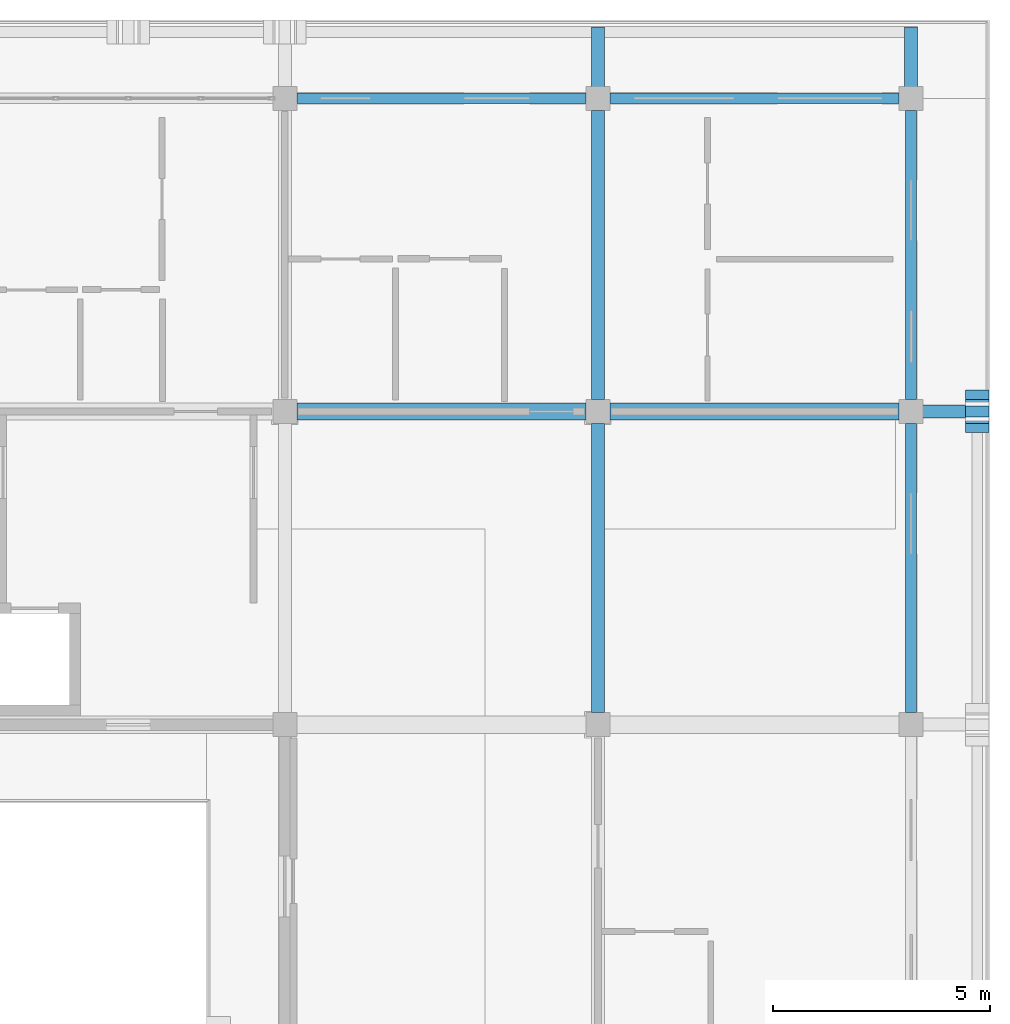
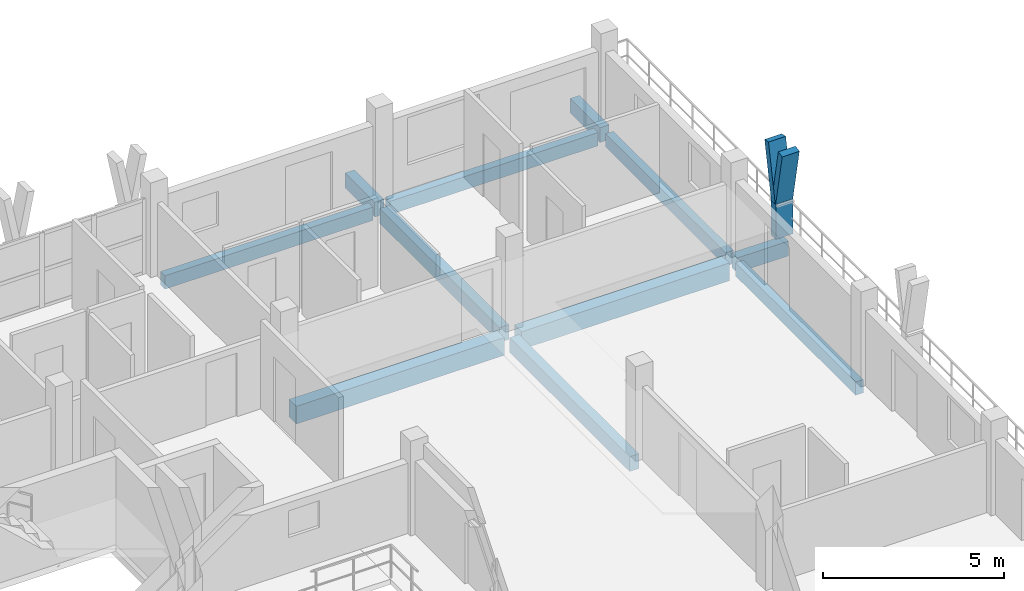
# One storey, part 28 of 67: 11 beams, 3 members.
"""IFC4 building model written with IfcOpenShell, lengths in metres."""

import ifcopenshell
import ifcopenshell.guid

model = None  # the IFC model being written
_history = None  # IfcOwnerHistory: only IFC2X3 demands one
_inside = {}  # id of a spatial element -> (the spatial element, [elements in it])
_under = {}  # id of a project, library or spatial element -> (it, [spatial elements below it])
_declared = {}  # id of a project -> (the project, [libraries it declares])
_typed = {}  # id of a type object -> (the type object, [elements of that type])
_made_of = {}  # id of a material, layer set ... -> (it, [elements and type objects made of it])


def new_model(schema):
    """Start an empty IFC model of exactly this schema.

    Asked for "IFC4X3", IfcOpenShell would pick the latest addendum, in which some entities
    have other attributes; the version numbers below select the first issue.
    IFC2X3 requires an IfcOwnerHistory on every rooted entity: one is made here for all.
    """
    global model, _history
    if schema == "IFC4X3":
        model = ifcopenshell.file(schema_version=(4, 3, 0, 0))
    else:
        model = ifcopenshell.file(schema=schema)
    _inside.clear()
    _under.clear()
    _declared.clear()
    _typed.clear()
    _made_of.clear()
    _history = None
    if model.schema == "IFC2X3":
        org = make("IfcOrganization", Name="unknown")
        user = make(
            "IfcPersonAndOrganization",
            ThePerson=make("IfcPerson", FamilyName="unknown"),
            TheOrganization=org,
        )
        app = make(
            "IfcApplication",
            ApplicationDeveloper=org,
            Version="unknown",
            ApplicationFullName="unknown",
            ApplicationIdentifier="unknown",
        )
        _history = make(
            "IfcOwnerHistory",
            OwningUser=user,
            OwningApplication=app,
            ChangeAction="ADDED",
            CreationDate=0,
        )
    return model


def make(cls, **values):
    """One entity of the class cls with the attributes given. An attribute that is None is left unset."""
    return model.create_entity(
        cls, **{name: value for name, value in values.items() if value is not None}
    )


def rooted(cls, **values):
    """An entity with a GlobalId (a new one), such as an element, a storey or a relation."""
    return make(cls, GlobalId=ifcopenshell.guid.new(), OwnerHistory=_history, **values)


def si_unit(unit_type, name, prefix=None):
    """IfcSIUnit, for example si_unit("LENGTHUNIT", "METRE", prefix="MILLI")."""
    return make("IfcSIUnit", UnitType=unit_type, Prefix=prefix, Name=name)


def assignment(units):
    """IfcUnitAssignment: the units of a project."""
    return None if units is None else make("IfcUnitAssignment", Units=units)


def point(xyz):
    """IfcCartesianPoint."""
    return None if xyz is None else make("IfcCartesianPoint", Coordinates=xyz)


def direction(xyz):
    """IfcDirection."""
    return None if xyz is None else make("IfcDirection", DirectionRatios=xyz)


def frame(location, z_axis=None, x_axis=None):
    """IfcAxis2Placement3D, a coordinate frame: its origin and axes. An axis left out is left unset."""
    return make(
        "IfcAxis2Placement3D",
        Location=point(location),
        Axis=direction(z_axis),
        RefDirection=direction(x_axis),
    )


def frame_2d(location, x_axis=None):
    """IfcAxis2Placement2D, a coordinate frame in the plane: its origin and x axis."""
    return make(
        "IfcAxis2Placement2D", Location=point(location), RefDirection=direction(x_axis)
    )


def origin():
    """The frame at (0, 0, 0) with its axes left unset."""
    return frame((0.0, 0.0, 0.0))


def origin_2d():
    """The frame at (0, 0) in the plane with its x axis left unset."""
    return frame_2d((0.0, 0.0))


def place(relative_to, where):
    """IfcLocalPlacement: puts the frame where relative to a parent placement (None: the world)."""
    return make(
        "IfcLocalPlacement", PlacementRelTo=relative_to, RelativePlacement=where
    )


def context(
    kind, dimensions, precision=None, world=None, true_north=None, identifier=None
):
    """IfcGeometricRepresentationContext, for example the 3D "Model" context."""
    return make(
        "IfcGeometricRepresentationContext",
        ContextIdentifier=identifier,
        ContextType=kind,
        CoordinateSpaceDimension=dimensions,
        Precision=precision,
        WorldCoordinateSystem=world,
        TrueNorth=true_north,
    )


def subcontext(parent, identifier, kind, view, scale=None):
    """IfcGeometricRepresentationSubContext, for example "Body" below "Model"."""
    return make(
        "IfcGeometricRepresentationSubContext",
        ContextIdentifier=identifier,
        ContextType=kind,
        ParentContext=parent,
        TargetScale=scale,
        TargetView=view,
    )


def project(units=None, contexts=None):
    """IfcProject with its units and contexts."""
    return rooted(
        "IfcProject",
        Name="project",
        RepresentationContexts=contexts,
        UnitsInContext=assignment(units),
    )


def spatial(cls, under=None, at=None, **own):
    """A site, building, storey or space (cls), placed at a placement, below another one or the project."""
    s = rooted(cls, ObjectPlacement=at, **own)
    if under is not None:
        _under.setdefault(under.id(), (under, []))[1].append(s)
    return s


def profile(cls, at=None, kind="AREA", **sizes):
    """A parametric profile (cls). Its sizes go by their IFC names, for example OverallWidth=200.0."""
    return make(cls, ProfileType=kind, Position=at, **sizes)


def rectangle(**sizes):
    """IfcRectangleProfileDef."""
    return profile("IfcRectangleProfileDef", **sizes)


def extrude(swept, where, along, depth):
    """IfcExtrudedAreaSolid: the profile swept, set in the frame where, extruded along a direction by depth."""
    return make(
        "IfcExtrudedAreaSolid",
        SweptArea=swept,
        Position=where,
        ExtrudedDirection=direction(along),
        Depth=depth,
    )


def shape(context_of_items, identifier, shape_type, items):
    """IfcShapeRepresentation: the items that make up one representation, for example the "Body"."""
    return make(
        "IfcShapeRepresentation",
        ContextOfItems=context_of_items,
        RepresentationIdentifier=identifier,
        RepresentationType=shape_type,
        Items=items,
    )


def material(Name=None, Category=None):
    """IfcMaterial."""
    return make("IfcMaterial", Name=Name, Category=Category)


def material_profile(
    of_material, cross_section, Name=None, Category=None, Priority=None
):
    """IfcMaterialProfile: a cross section and its material."""
    return make(
        "IfcMaterialProfile",
        Name=Name,
        Material=of_material,
        Profile=cross_section,
        Priority=Priority,
        Category=Category,
    )


def profile_set(profiles, Name=None, composite=None):
    """IfcMaterialProfileSet."""
    return make(
        "IfcMaterialProfileSet",
        Name=Name,
        MaterialProfiles=profiles,
        CompositeProfile=composite,
    )


def made_of(thing, what):
    """Note that an element or type object is made of a material, layer set ...; save() writes the relation."""
    if what is not None:
        _made_of.setdefault(what.id(), (what, []))[1].append(thing)
    return thing


def type_object(cls, material=None, **own):
    """A type object (cls), such as IfcWallType, which elements share."""
    return made_of(rooted(cls, **own), material)


def element(
    cls,
    number,
    at=None,
    inside=None,
    cuts=None,
    type_object=None,
    material=None,
    context=None,
    identifier="Body",
    shape_type=None,
    held_by="IfcProductDefinitionShape",
    body=None,
    shapes=None,
    **own,
):
    """One element of the class cls, such as IfcWall. Its Tag is "e" and its number.

    at: its placement. inside: the storey or other place that contains it. cuts: it is an
    opening in that element (IfcRelVoidsElement). A single representation is given by context,
    identifier, shape_type and body (its items); several are given by shapes. held_by: the class
    of the entity that holds the representations. save() writes the other relations.
    """
    e = rooted(cls, Tag="e%d" % number, ObjectPlacement=at, **own)
    if body is not None:
        shapes = [shape(context, identifier, shape_type, body)]
    if shapes is not None:
        e.Representation = make(held_by, Representations=shapes)
    if inside is not None:
        _inside.setdefault(inside.id(), (inside, []))[1].append(e)
    if cuts is not None:
        rooted(
            "IfcRelVoidsElement", RelatingBuildingElement=cuts, RelatedOpeningElement=e
        )
    if type_object is not None:
        _typed.setdefault(type_object.id(), (type_object, []))[1].append(e)
    return made_of(e, material)


def aggregate(whole, parts):
    """IfcRelAggregates: a whole, such as a stair, and the parts it consists of."""
    return rooted("IfcRelAggregates", RelatingObject=whole, RelatedObjects=parts)


def save(model, path):
    """Write the relations noted so far, then the file.

    IfcRelAggregates (storeys below a building ...), IfcRelContainedInSpatialStructure (elements
    in a storey), IfcRelDefinesByType, IfcRelAssociatesMaterial and IfcRelDeclares: one each for
    every whole, place, type object, material and project.
    """
    for whole, parts in _under.values():
        aggregate(whole, parts)
    for where, things in _inside.values():
        rooted(
            "IfcRelContainedInSpatialStructure",
            RelatedElements=things,
            RelatingStructure=where,
        )
    for kind, things in _typed.values():
        rooted("IfcRelDefinesByType", RelatedObjects=things, RelatingType=kind)
    for what, things in _made_of.values():
        rooted("IfcRelAssociatesMaterial", RelatedObjects=things, RelatingMaterial=what)
    for by, libraries in _declared.values():
        rooted("IfcRelDeclares", RelatingContext=by, RelatedDefinitions=libraries)
    model.write(path)


model = new_model("IFC4")

# Units and contexts
model_context = context("Model", 3, precision=1e-05, world=origin(), true_north=direction((0.0, 1.0)))
body_context = subcontext(model_context, "Body", "Model", "MODEL_VIEW")
ifc_project = project(units=[si_unit("LENGTHUNIT", "METRE"), si_unit("AREAUNIT", "SQUARE_METRE"), si_unit("VOLUMEUNIT", "CUBIC_METRE"), si_unit("PLANEANGLEUNIT", "RADIAN"), si_unit("MASSUNIT", "GRAM", prefix="KILO")], contexts=[model_context])

# Site, building, storey
site_placement = place(None, origin())
site = spatial("IfcSite", under=ifc_project, at=site_placement, CompositionType="ELEMENT")
building_placement = place(site_placement, origin())
building = spatial("IfcBuilding", under=site, at=building_placement, Name="Suanplinth Sawtooth Commons", CompositionType="ELEMENT")
storey_placement = place(building_placement, frame((0.0, 0.0, 25.10009765625)))
storey = spatial("IfcBuildingStorey", under=building, at=storey_placement, Name="L07", CompositionType="ELEMENT", Elevation=25.10009765625)

# Beams
ifc_material_1 = material(Name="Precast concrete C40/50", Category="concrete")
ifc_material_profile_1 = material_profile(ifc_material_1, rectangle(XDim=0.39990234375, YDim=0.60009765625, at=origin_2d()), Name="PC-GDR 400x600")
ifc_profile_set_1 = profile_set([ifc_material_profile_1], Name="Precast concrete C40/50")
beam_type_1 = type_object("IfcBeamType", Name="B-05", PredefinedType="USERDEFINED", material=ifc_profile_set_1)
for number, where, z_axis, x_axis, name in (
    (1, (173.074951171875, 115.199951171875, -0.52001953125), (1.0, 0.0, 0.0), (0.0, 1.0, 0.0), "BMX-L07-B-24-16"),
    (2, (180.27490234375, 115.199951171875, -0.52001953125), (1.0, 0.0, 0.0), (0.0, 1.0, 0.0), "BMX-L07-B-25-16"),
):
    element("IfcBeam", number, at=place(storey_placement, frame(where, z_axis=z_axis, x_axis=x_axis)), inside=storey, type_object=beam_type_1, Name=name, ObjectType="GIRDER", PredefinedType="USERDEFINED", context=body_context, shape_type="SweptSolid", body=[
        extrude(rectangle(XDim=0.39990234375, YDim=0.60009765625, at=origin_2d()), origin(), (0.0, 0.0, 1.0), 6.650146484375),
    ])
ifc_material_profile_2 = material_profile(ifc_material_1, rectangle(XDim=0.300048828125, YDim=0.5, at=origin_2d()), Name="PC-BM 300x500")
ifc_profile_set_2 = profile_set([ifc_material_profile_2], Name="Precast concrete C40/50")
beam_type_2 = type_object("IfcBeamType", Name="B-07", PredefinedType="BEAM", material=ifc_profile_set_2)
beam_1_placement = place(storey_placement, frame((180.0, 108.27490234375, -0.47021484375), z_axis=(0.0, 1.0, 0.0), x_axis=(-1.0, 0.0, 0.0)))
element("IfcBeam", 3, at=beam_1_placement, inside=storey, type_object=beam_type_2, Name="BMY-L07-B-25-15", PredefinedType="BEAM", context=body_context, shape_type="SweptSolid", body=[
    extrude(rectangle(XDim=0.300048828125, YDim=0.5, at=origin_2d()), origin(), (0.0, 0.0, 1.0), 6.650146484375),
])
beam_2_placement = place(storey_placement, frame((180.0, 115.47509765625, -0.47021484375), z_axis=(0.0, 1.0, 0.0), x_axis=(-1.0, 0.0, 0.0)))
element("IfcBeam", 4, at=beam_2_placement, inside=storey, type_object=beam_type_2, Name="BMY-L07-B-25-16", PredefinedType="BEAM", context=body_context, shape_type="SweptSolid", body=[
    extrude(rectangle(XDim=0.300048828125, YDim=0.5, at=origin_2d()), origin(), (0.0, 0.0, 1.0), 6.64990234375),
])
for number, where, z_axis, x_axis, name in (
    (5, (180.0, 122.39990234375, -0.43017578125), (0.0, 1.0, 0.0), (-1.0, 0.0, 0.0), "Balcony Outrigger L07-B-N-25"),
    (6, (187.199951171875, 122.39990234375, -0.43017578125), (0.0, 1.0, 0.0), (-1.0, 0.0, 0.0), "Balcony Outrigger L07-B-N-26"),
    (7, (187.199951171875, 115.199951171875, -0.43017578125), (1.0, 0.0, 0.0), (0.0, 1.0, 0.0), "Balcony Outrigger L07-B-E-16"),
):
    element("IfcBeam", number, at=place(storey_placement, frame(where, z_axis=z_axis, x_axis=x_axis)), inside=storey, type_object=beam_type_2, Name=name, PredefinedType="BEAM", context=body_context, shape_type="SweptSolid", body=[
        extrude(rectangle(XDim=0.300048828125, YDim=0.5, at=origin_2d()), origin(), (0.0, 0.0, 1.0), 1.64013671875),
    ])
ifc_material_profile_3 = material_profile(ifc_material_1, rectangle(XDim=0.25, YDim=0.449951171875, at=origin_2d()), Name="PC-SP 250x450")
ifc_profile_set_3 = profile_set([ifc_material_profile_3], Name="Precast concrete C40/50")
beam_type_3 = type_object("IfcBeamType", Name="B-09", PredefinedType="SPANDREL", material=ifc_profile_set_3)
for number, where, z_axis, x_axis, name in (
    (8, (173.074951171875, 122.39990234375, -0.445068359375), (1.0, 0.0, 0.0), (0.0, 1.0, 0.0), "BMX-L07-B-24-17"),
    (9, (180.27490234375, 122.39990234375, -0.445068359375), (1.0, 0.0, 0.0), (0.0, 1.0, 0.0), "BMX-L07-B-25-17"),
    (10, (187.199951171875, 108.27490234375, -0.445068359375), (0.0, 1.0, 0.0), (-1.0, 0.0, 0.0), "BMY-L07-B-26-15"),
):
    element("IfcBeam", number, at=place(storey_placement, frame(where, z_axis=z_axis, x_axis=x_axis)), inside=storey, type_object=beam_type_3, Name=name, PredefinedType="SPANDREL", context=body_context, shape_type="SweptSolid", body=[
        extrude(rectangle(XDim=0.25, YDim=0.449951171875, at=origin_2d()), origin(), (0.0, 0.0, 1.0), 6.650146484375),
    ])
beam_3_placement = place(storey_placement, frame((187.199951171875, 115.47509765625, -0.445068359375), z_axis=(0.0, 1.0, 0.0), x_axis=(-1.0, 0.0, 0.0)))
element("IfcBeam", 11, at=beam_3_placement, inside=storey, type_object=beam_type_3, Name="BMY-L07-B-26-16", PredefinedType="SPANDREL", context=body_context, shape_type="SweptSolid", body=[
    extrude(rectangle(XDim=0.25, YDim=0.449951171875, at=origin_2d()), origin(), (0.0, 0.0, 1.0), 6.64990234375),
])

# Members
ifc_material_2 = material(Name="Pigmented precast concrete C40/50", Category="concrete")
ifc_material_profile_4 = material_profile(ifc_material_2, rectangle(XDim=0.260009765625, YDim=0.550048828125, at=origin_2d()), Name="PC-FIN 260x550")
ifc_profile_set_4 = profile_set([ifc_material_profile_4], Name="Pigmented precast concrete C40/50")
member_type_1 = type_object("IfcMemberType", Name="M-09", PredefinedType="USERDEFINED", material=ifc_profile_set_4)
member_1_placement = place(storey_placement, frame((188.719970703125, 115.199951171875, 0.0), z_axis=(0.0, 0.0, 1.0), x_axis=(0.0, 1.0, 0.0)))
element("IfcMember", 12, at=member_1_placement, inside=storey, type_object=member_type_1, Name="Y-Blade Stem L07-B-E-12", ObjectType="SHADING FIN", PredefinedType="USERDEFINED", context=body_context, shape_type="SweptSolid", body=[
    extrude(rectangle(XDim=0.260009765625, YDim=0.550048828125, at=origin_2d()), origin(), (0.0, 0.0, 1.0), 1.169921875),
])
ifc_material_profile_5 = material_profile(ifc_material_2, rectangle(XDim=0.219970703125, YDim=0.550048828125, at=origin_2d()), Name="PC-FIN 220x550")
ifc_profile_set_5 = profile_set([ifc_material_profile_5], Name="Pigmented precast concrete C40/50")
member_type_2 = type_object("IfcMemberType", Name="M-10", PredefinedType="USERDEFINED", material=ifc_profile_set_5)
member_2_placement = place(storey_placement, frame((188.719970703125, 115.199951171875, 1.1298828125), z_axis=(0.0, -0.196309979414, 0.980541886909), x_axis=(0.0, 0.980541886909, 0.196309979414)))
element("IfcMember", 13, at=member_2_placement, inside=storey, type_object=member_type_2, Name="Y-Blade Arm L L07-B-E-12", ObjectType="SHADING FIN", PredefinedType="USERDEFINED", context=body_context, shape_type="SweptSolid", body=[
    extrude(rectangle(XDim=0.219970703125, YDim=0.550048828125, at=origin_2d()), origin(), (0.0, 0.0, 1.0), 1.9375),
])
member_3_placement = place(storey_placement, frame((188.719970703125, 115.199951171875, 1.1298828125), z_axis=(0.0, 0.196431120402, 0.980517626021), x_axis=(0.0, -0.980517626021, 0.196431120402)))
element("IfcMember", 14, at=member_3_placement, inside=storey, type_object=member_type_2, Name="Y-Blade Arm R L07-B-E-12", ObjectType="SHADING FIN", PredefinedType="USERDEFINED", context=body_context, shape_type="SweptSolid", body=[
    extrude(rectangle(XDim=0.219970703125, YDim=0.550048828125, at=origin_2d()), origin(), (0.0, 0.0, 1.0), 1.937744140625),
])

save(model, "model.ifc")
